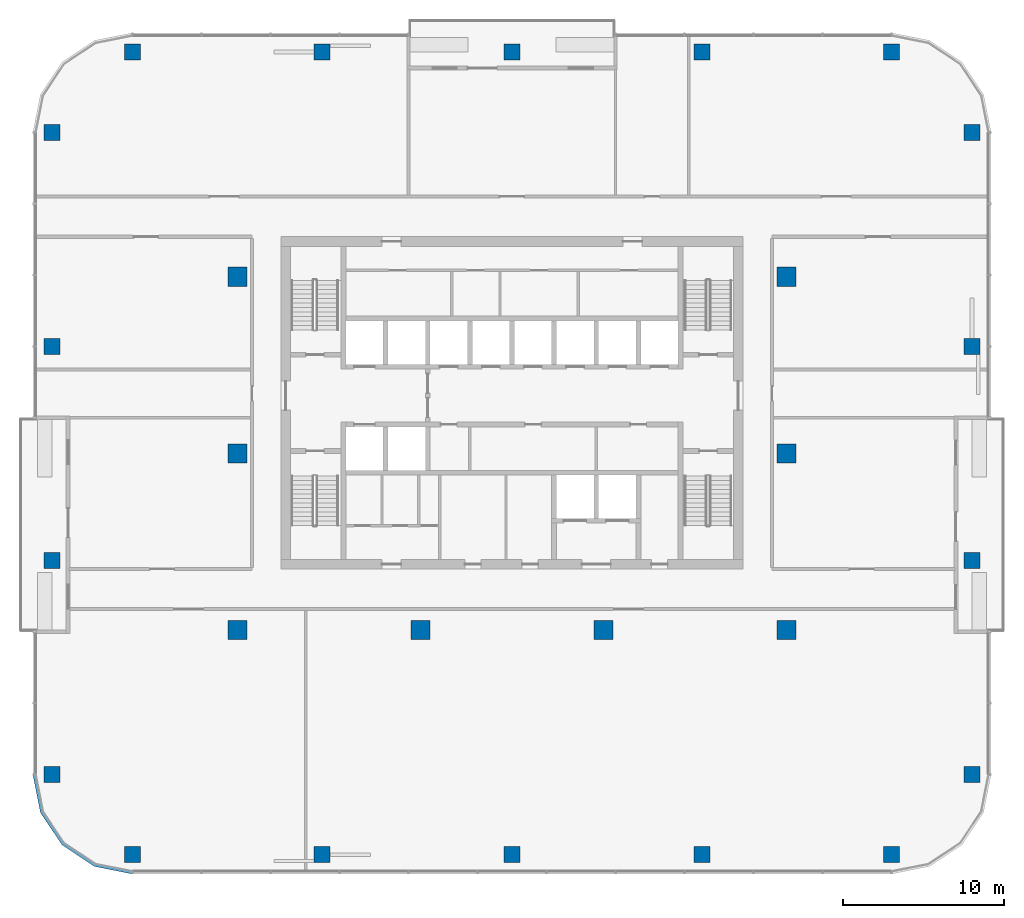
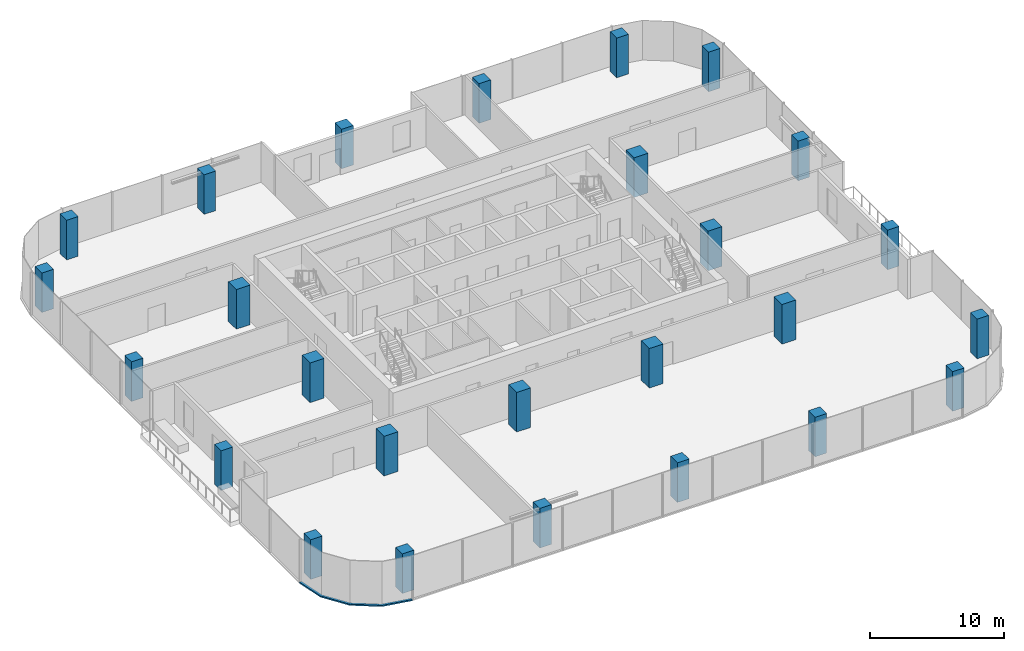
# One storey, part 1 of 13: 26 columns, 1 member, 1 element without a shape of its own.
"""IFC4 building model written with IfcOpenShell, lengths in metres."""

from ifc_helpers import new_model, si_unit, direction, frame, origin, origin_2d, place, context, subcontext, project, spatial, polyline, rectangle, outline, extrude, material, material_profile, profile_set, type_object, element, aggregate, save


model = new_model("IFC4")

# Units and contexts
model_context = context("Model", 3, precision=1e-05, world=origin(), true_north=direction((0.0, 1.0)))
body_context = subcontext(model_context, "Body", "Model", "MODEL_VIEW")
ifc_project = project(units=[si_unit("LENGTHUNIT", "METRE"), si_unit("AREAUNIT", "SQUARE_METRE"), si_unit("VOLUMEUNIT", "CUBIC_METRE"), si_unit("PLANEANGLEUNIT", "RADIAN"), si_unit("MASSUNIT", "GRAM", prefix="KILO")], contexts=[model_context])

# Site, building, storey
site_placement = place(None, origin())
site = spatial("IfcSite", under=ifc_project, at=site_placement, CompositionType="ELEMENT")
building_placement = place(site_placement, origin())
building = spatial("IfcBuilding", under=site, at=building_placement, Name="Mopane Tessera Tower", CompositionType="ELEMENT")
storey_placement = place(building_placement, frame((0.0, 0.0, 287.39990234375)))
storey = spatial("IfcBuildingStorey", under=building, at=storey_placement, Name="L62", CompositionType="ELEMENT", Elevation=287.39990234375)

# Columns
ifc_material_1 = material(Name="Concrete C40/50", Category="concrete")
ifc_material_profile_1 = material_profile(ifc_material_1, rectangle(XDim=1.199951171875, YDim=1.199951171875, at=origin_2d()))
ifc_profile_set_1 = profile_set([ifc_material_profile_1], Name="Concrete C40/50")
column_type_1 = type_object("IfcColumnType", Name="Interior column 1200 x 1200 C40/50", PredefinedType="COLUMN", material=ifc_profile_set_1)
for number, where, z_axis, x_axis, name in (
    (1, (-17.10009765625, -11.0, 0.0), (0.0, 0.0, 1.0), (1.0, 0.0, 0.0), "Interior column I1A L62"),
    (2, (-17.10009765625, 0.0, 0.0), (0.0, 0.0, 1.0), (1.0, 0.0, 0.0), "Interior column I1B L62"),
    (3, (-17.10009765625, 11.0, 0.0), (0.0, 0.0, 1.0), (1.0, 0.0, 0.0), "Interior column I1C L62"),
    (4, (-5.699951171875, -11.0, 0.0), (0.0, 0.0, 1.0), (1.0, 0.0, 0.0), "Interior column I2A L62"),
    (5, (5.699951171875, -11.0, 0.0), (0.0, 0.0, 1.0), (1.0, 0.0, 0.0), "Interior column I3A L62"),
    (6, (17.10009765625, -11.0, 0.0), (0.0, 0.0, 1.0), (1.0, 0.0, 0.0), "Interior column I4A L62"),
    (7, (17.10009765625, 0.0, 0.0), (0.0, 0.0, 1.0), (1.0, 0.0, 0.0), "Interior column I4B L62"),
    (8, (17.10009765625, 11.0, 0.0), (0.0, 0.0, 1.0), (1.0, 0.0, 0.0), "Interior column I4C L62"),
):
    element("IfcColumn", number, at=place(storey_placement, frame(where, z_axis=z_axis, x_axis=x_axis)), inside=storey, type_object=column_type_1, Name=name, PredefinedType="COLUMN", context=body_context, shape_type="SweptSolid", body=[
        extrude(rectangle(XDim=1.199951171875, YDim=1.199951171875, at=origin_2d()), origin(), (0.0, 0.0, 1.0), 3.60009765625),
    ])
ifc_material_2 = material(Name="Concrete C40/50", Category="concrete")
ifc_material_profile_2 = material_profile(ifc_material_2, rectangle(XDim=1.0, YDim=1.0, at=origin_2d()))
ifc_profile_set_2 = profile_set([ifc_material_profile_2], Name="Concrete C40/50")
column_type_2 = type_object("IfcColumnType", Name="Ring column 1000 x 1000 C40/50", PredefinedType="COLUMN", material=ifc_profile_set_2)
for number, where, z_axis, x_axis, name in (
    (9, (-23.64990234375, -25.0, 0.0), (0.0, 0.0, 1.0), (1.0, 0.0, 0.0), "Ring column S0 L62"),
    (10, (-11.824951171875, -25.0, 0.0), (0.0, 0.0, 1.0), (1.0, 0.0, 0.0), "Ring column S1 L62"),
    (11, (0.0, -25.0, 0.0), (0.0, 0.0, 1.0), (1.0, 0.0, 0.0), "Ring column S2 L62"),
    (12, (11.824951171875, -25.0, 0.0), (0.0, 0.0, 1.0), (1.0, 0.0, 0.0), "Ring column S3 L62"),
    (13, (23.64990234375, -25.0, 0.0), (0.0, 0.0, 1.0), (1.0, 0.0, 0.0), "Ring column S4 L62"),
    (14, (28.64990234375, -20.0, 0.0), (0.0, 0.0, 1.0), (1.0, 0.0, 0.0), "Ring column E0 L62"),
    (15, (28.64990234375, -6.666748046875, 0.0), (0.0, 0.0, 1.0), (1.0, 0.0, 0.0), "Ring column E1 L62"),
    (16, (28.64990234375, 6.666748046875, 0.0), (0.0, 0.0, 1.0), (1.0, 0.0, 0.0), "Ring column E2 L62"),
    (17, (28.64990234375, 20.0, 0.0), (0.0, 0.0, 1.0), (1.0, 0.0, 0.0), "Ring column E3 L62"),
    (18, (23.64990234375, 25.0, 0.0), (0.0, 0.0, 1.0), (1.0, 0.0, 0.0), "Ring column N0 L62"),
    (19, (11.824951171875, 25.0, 0.0), (0.0, 0.0, 1.0), (1.0, 0.0, 0.0), "Ring column N1 L62"),
    (20, (0.0, 25.0, 0.0), (0.0, 0.0, 1.0), (1.0, 0.0, 0.0), "Ring column N2 L62"),
    (21, (-11.824951171875, 25.0, 0.0), (0.0, 0.0, 1.0), (1.0, 0.0, 0.0), "Ring column N3 L62"),
    (22, (-23.64990234375, 25.0, 0.0), (0.0, 0.0, 1.0), (1.0, 0.0, 0.0), "Ring column N4 L62"),
    (23, (-28.64990234375, 20.0, 0.0), (0.0, 0.0, 1.0), (1.0, 0.0, 0.0), "Ring column W0 L62"),
    (24, (-28.64990234375, 6.666748046875, 0.0), (0.0, 0.0, 1.0), (1.0, 0.0, 0.0), "Ring column W1 L62"),
    (25, (-28.64990234375, -6.666748046875, 0.0), (0.0, 0.0, 1.0), (1.0, 0.0, 0.0), "Ring column W2 L62"),
    (26, (-28.64990234375, -20.0, 0.0), (0.0, 0.0, 1.0), (1.0, 0.0, 0.0), "Ring column W3 L62"),
):
    element("IfcColumn", number, at=place(storey_placement, frame(where, z_axis=z_axis, x_axis=x_axis)), inside=storey, type_object=column_type_2, Name=name, PredefinedType="COLUMN", context=body_context, shape_type="SweptSolid", body=[
        extrude(rectangle(XDim=1.0, YDim=1.0, at=origin_2d()), origin(), (0.0, 0.0, 1.0), 3.60009765625),
    ])

# Curtain wall, member
ifc_material_3 = material(Name="Aluminium frame", Category="aluminium")
curtain_wall_type = type_object("IfcCurtainWallType", Name="Unitised curtain wall", PredefinedType="NOTDEFINED", material=ifc_material_3)
curtain_wall_placement = place(storey_placement, origin())
curtain_wall = element("IfcCurtainWall", 27, at=curtain_wall_placement, inside=storey, type_object=curtain_wall_type, Name="e:cw:L62:CW", PredefinedType="NOTDEFINED")
ifc_material_4 = material(Name="Aluminium frame", Category="aluminium")
ifc_material_profile_3 = material_profile(ifc_material_4, rectangle(XDim=0.199951171875, YDim=0.1201171875, at=origin_2d()))
ifc_profile_set_3 = profile_set([ifc_material_profile_3], Name="Aluminium frame")
member_type = type_object("IfcMemberType", Name="Aluminium transom 200 x 120", PredefinedType="USERDEFINED", material=ifc_profile_set_3)
member_placement = place(storey_placement, frame((0.0, 0.0, -0.39990234375)))
member = element("IfcMember", 28, at=member_placement, type_object=member_type, Name="e:cw:L62:CW:tr", ObjectType="TRANSOM", PredefinedType="USERDEFINED", context=body_context, shape_type="SweptSolid", body=[
    extrude(outline(polyline([(-29.64990234375, -20.0), (-29.193359375, -22.296142578125), (-27.892578125, -24.24267578125), (-25.946044921875, -25.543212890625), (-23.64990234375, -26.0), (-23.64990234375, -26.199951171875), (-26.022705078125, -25.72802734375), (-28.0341796875, -24.384033203125), (-29.378173828125, -22.37255859375), (-29.85009765625, -20.0), (-29.64990234375, -20.0)])), origin(), (0.0, 0.0, 1.0), 0.1201171875),
])
aggregate(curtain_wall, [member])

save(model, "model.ifc")
